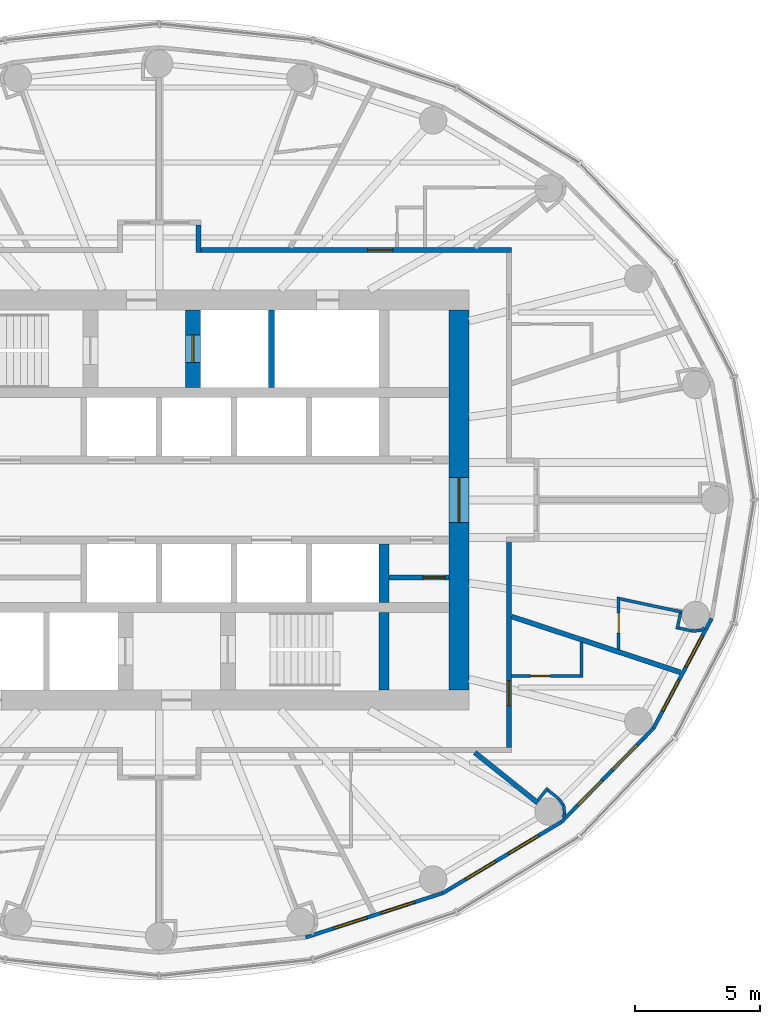
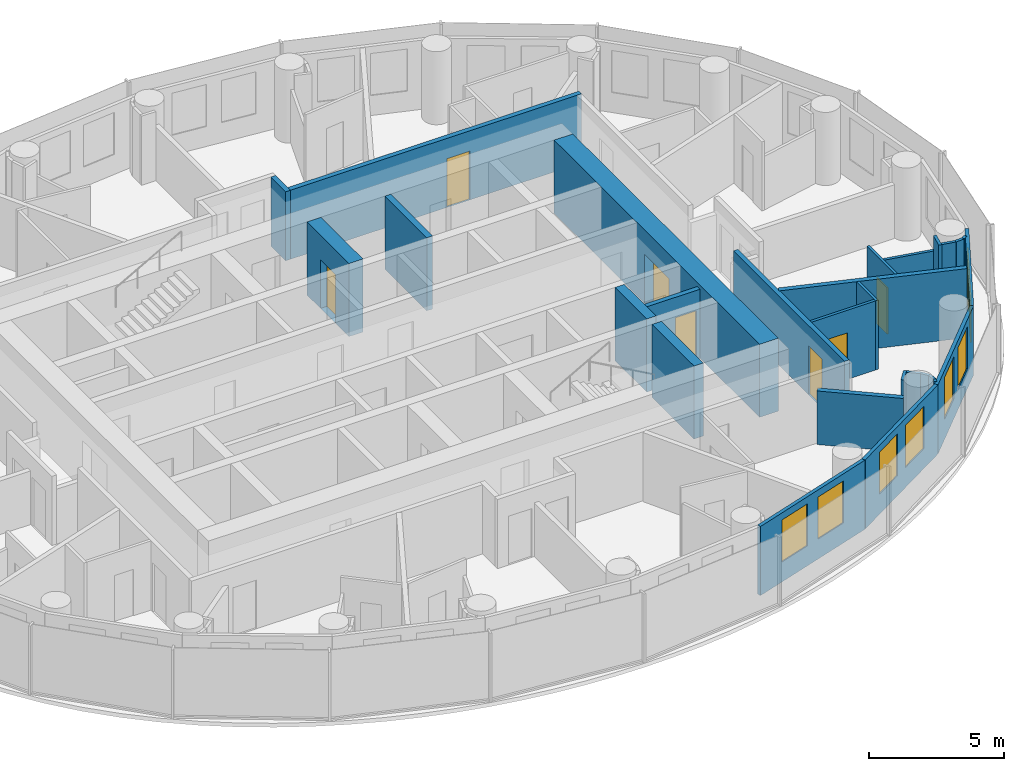
# One storey, part 10 of 16: 28 walls, 8 windows, 7 doors, 15 openings.
"""IFC4 building model written with IfcOpenShell, lengths in metres."""

from ifc_helpers import new_model, si_unit, direction, frame, frame_2d, origin, place, context, subcontext, project, spatial, rectangle, extrude, material, layer, layer_set, type_object, element, fill, save


model = new_model("IFC4")

# Units and contexts
model_context = context("Model", 3, precision=1e-05, world=origin(), true_north=direction((0.0, 1.0)))
body_context = subcontext(model_context, "Body", "Model", "MODEL_VIEW")
ifc_project = project(units=[si_unit("LENGTHUNIT", "METRE"), si_unit("AREAUNIT", "SQUARE_METRE"), si_unit("VOLUMEUNIT", "CUBIC_METRE"), si_unit("PLANEANGLEUNIT", "RADIAN"), si_unit("MASSUNIT", "GRAM", prefix="KILO")], contexts=[model_context])

# Site, building, storey
site_placement = place(None, origin())
site = spatial("IfcSite", under=ifc_project, at=site_placement, CompositionType="ELEMENT")
building_placement = place(site_placement, origin())
building = spatial("IfcBuilding", under=site, at=building_placement, Name="Hankou Lantern Tower", CompositionType="ELEMENT")
storey_placement = place(building_placement, frame((0.0, 0.0, 150.0)))
storey = spatial("IfcBuildingStorey", under=building, at=storey_placement, Name="L39", CompositionType="ELEMENT", Elevation=150.0)

# Wall, opening, door
ifc_material_1 = material(Name="Concrete C60", Category="concrete")
ifc_layer_1 = layer(ifc_material_1, 0.800048828125)
ifc_layer_set_1 = layer_set([ifc_layer_1], Name="Concrete C60")
wall_type_1 = type_object("IfcWallType", Name="CW2 CORE WALL 800", PredefinedType="SHEAR", material=ifc_layer_set_1)
wall_1_placement = place(storey_placement, frame((12.0, -7.60009765625, 0.0), z_axis=(0.0, 0.0, 1.0), x_axis=(0.0, 1.0, 0.0)))
wall_1 = element("IfcWall", 1, at=wall_1_placement, inside=storey, type_object=wall_type_1, Name="Core wall east L39", PredefinedType="SHEAR", context=body_context, shape_type="SweptSolid", body=[
    extrude(rectangle(XDim=15.2001953125, YDim=0.800048828125, at=frame_2d((7.60009765625, 0.0))), origin(), (0.0, 0.0, 1.0), 3.300048828125),
])
opening_1_placement = place(wall_1_placement, frame((6.699951171875, 0.0, 0.0)))
opening_1 = element("IfcOpeningElement", 2, at=opening_1_placement, cuts=wall_1, Name="Opening D6", PredefinedType="OPENING", context=body_context, shape_type="SweptSolid", body=[
    extrude(rectangle(XDim=1.800048828125, YDim=2.199951171875, at=frame_2d((0.89990234375, 1.10009765625))), frame((0.0, 0.409912109375, 0.0), z_axis=(0.0, -1.0, 0.0), x_axis=(1.0, 0.0, 0.0)), (0.0, 0.0, 1.0), 0.820068359375),
])
ifc_material_2 = material(Name="Steel door leaf", Category="steel")
door_type_1 = type_object("IfcDoorType", Name="D6 LIFT LOBBY DOOR 1800X2200", OperationType="DOUBLE_DOOR_DOUBLE_SWING", PredefinedType="DOOR", material=ifc_material_2)
door_1_placement = place(opening_1_placement, origin())
door_1 = element("IfcDoor", 3, at=door_1_placement, inside=storey, type_object=door_type_1, Name="Lift lobby east door", OperationType="DOUBLE_DOOR_DOUBLE_SWING", OverallHeight=2.199951171875, OverallWidth=1.800048828125, PredefinedType="DOOR", context=body_context, shape_type="SweptSolid", body=[
    extrude(rectangle(XDim=1.800048828125, YDim=2.199951171875, at=frame_2d((0.89990234375, 1.10009765625))), frame((0.0, 0.02490234375, 0.0), z_axis=(0.0, -1.0, 0.0), x_axis=(1.0, 0.0, 0.0)), (0.0, 0.0, 1.0), 0.050048828125),
])
fill(opening_1, door_1)

# Walls
ifc_material_3 = material(Name="Concrete C60", Category="concrete")
ifc_layer_2 = layer(ifc_material_3, 0.39990234375)
ifc_layer_set_2 = layer_set([ifc_layer_2], Name="Concrete C60")
wall_type_2 = type_object("IfcWallType", Name="CW4 CORE CROSS WALL 400", PredefinedType="SHEAR", material=ifc_layer_set_2)
wall_2_placement = place(storey_placement, frame((9.0, -4.10009765625, 0.0), z_axis=(0.0, 0.0, 1.0), x_axis=(0.0, 1.0, 0.0)))
element("IfcWall", 4, at=wall_2_placement, inside=storey, type_object=wall_type_2, Name="Core strip wall L39", PredefinedType="SHEAR", context=body_context, shape_type="SweptSolid", body=[
    extrude(rectangle(XDim=2.35009765625, YDim=0.39990234375, at=frame_2d((1.175048828125, 0.0))), origin(), (0.0, 0.0, 1.0), 3.300048828125),
])
wall_3_placement = place(storey_placement, frame((9.0, -7.60009765625, 0.0), z_axis=(0.0, 0.0, 1.0), x_axis=(0.0, 1.0, 0.0)))
element("IfcWall", 5, at=wall_3_placement, inside=storey, type_object=wall_type_2, Name="Core strip wall L39", PredefinedType="SHEAR", context=body_context, shape_type="SweptSolid", body=[
    extrude(rectangle(XDim=3.10009765625, YDim=0.39990234375, at=frame_2d((1.550048828125, 0.0))), origin(), (0.0, 0.0, 1.0), 3.300048828125),
])

# Wall, opening, door
ifc_material_4 = material(Name="Concrete C60", Category="concrete")
ifc_layer_3 = layer(ifc_material_4, 0.60009765625)
ifc_layer_set_3 = layer_set([ifc_layer_3], Name="Concrete C60")
wall_type_3 = type_object("IfcWallType", Name="CW6 STAIR AND SHAFT WALL 600", PredefinedType="SHEAR", material=ifc_layer_set_3)
wall_4_placement = place(storey_placement, frame((1.35009765625, 4.5, 0.0), z_axis=(0.0, 0.0, 1.0), x_axis=(0.0, 1.0, 0.0)))
wall_4 = element("IfcWall", 6, at=wall_4_placement, inside=storey, type_object=wall_type_3, Name="Firefighting lift shaft wall L39", PredefinedType="SHEAR", context=body_context, shape_type="SweptSolid", body=[
    extrude(rectangle(XDim=3.10009765625, YDim=0.60009765625, at=frame_2d((1.550048828125, 0.0))), origin(), (0.0, 0.0, 1.0), 3.300048828125),
])
opening_2_placement = place(wall_4_placement, frame((1.0, 0.0, 0.0)))
opening_2 = element("IfcOpeningElement", 7, at=opening_2_placement, cuts=wall_4, Name="Opening LD2", PredefinedType="OPENING", context=body_context, shape_type="SweptSolid", body=[
    extrude(rectangle(XDim=1.10009765625, YDim=2.199951171875, at=frame_2d((0.550048828125, 1.10009765625))), frame((0.0, 0.31005859375, 0.0), z_axis=(0.0, -1.0, 0.0), x_axis=(1.0, 0.0, 0.0)), (0.0, 0.0, 1.0), 0.6201171875),
])
ifc_material_5 = material(Name="Steel door leaf", Category="steel")
door_type_2 = type_object("IfcDoorType", Name="LD2 FIREFIGHTING LIFT LANDING DOOR 1100X2200", OperationType="DOUBLE_DOOR_SLIDING", PredefinedType="DOOR", material=ifc_material_5)
door_2_placement = place(opening_2_placement, origin())
door_2 = element("IfcDoor", 8, at=door_2_placement, inside=storey, type_object=door_type_2, Name="Firefighting lift FL1 landing door", OperationType="DOUBLE_DOOR_SLIDING", OverallHeight=2.199951171875, OverallWidth=1.10009765625, PredefinedType="DOOR", context=body_context, shape_type="SweptSolid", body=[
    extrude(rectangle(XDim=1.10009765625, YDim=2.199951171875, at=frame_2d((0.550048828125, 1.10009765625))), frame((0.0, 0.02490234375, 0.0), z_axis=(0.0, -1.0, 0.0), x_axis=(1.0, 0.0, 0.0)), (0.0, 0.0, 1.0), 0.050048828125),
])
fill(opening_2, door_2)

# Wall, openings, windows
ifc_material_6 = material(Name="Aluminium spandrel panel on steel studs", Category="steel")
ifc_layer_4 = layer(ifc_material_6, 0.14990234375)
ifc_layer_set_4 = layer_set([ifc_layer_4], Name="Aluminium spandrel panel on steel studs")
wall_type_4 = type_object("IfcWallType", Name="EW1 INNER SKIN WALL 150", PredefinedType="ELEMENTEDWALL", material=ifc_layer_set_4)
wall_5_placement = place(storey_placement, frame((5.8603515625, -17.497314453125, 0.0), z_axis=(0.0, 0.0, 1.0), x_axis=(0.951432482129, 0.307857486429, 0.0)))
wall_5 = element("IfcWall", 9, at=wall_5_placement, inside=storey, type_object=wall_type_4, Name="Inner skin R20-R21 L39", PredefinedType="ELEMENTEDWALL", context=body_context, shape_type="SweptSolid", body=[
    extrude(rectangle(XDim=5.76611328125, YDim=0.14990234375, at=frame_2d((2.883056640625, 0.0))), origin(), (0.0, 0.0, 1.0), 3.1201171875),
])
opening_3_placement = place(wall_5_placement, frame((1.18310546875, 0.0, 0.89990234375)))
opening_3 = element("IfcOpeningElement", 10, at=opening_3_placement, cuts=wall_5, Name="Opening W3", PredefinedType="OPENING", context=body_context, shape_type="SweptSolid", body=[
    extrude(rectangle(XDim=1.39990234375, YDim=1.89990234375, at=frame_2d((0.699951171875, 0.949951171875))), frame((0.0, 0.0849609375, 0.0), z_axis=(0.0, -1.0, 0.0), x_axis=(1.0, 0.0, 0.0)), (0.0, 0.0, 1.0), 0.169921875),
])
opening_4_placement = place(wall_5_placement, frame((3.18310546875, 0.0, 0.89990234375)))
opening_4 = element("IfcOpeningElement", 11, at=opening_4_placement, cuts=wall_5, Name="Opening W3", PredefinedType="OPENING", context=body_context, shape_type="SweptSolid", body=[
    extrude(rectangle(XDim=1.39990234375, YDim=1.89990234375, at=frame_2d((0.699951171875, 0.949951171875))), frame((0.0, 0.0849609375, 0.0), z_axis=(0.0, -1.0, 0.0), x_axis=(1.0, 0.0, 0.0)), (0.0, 0.0, 1.0), 0.169921875),
])
ifc_material_7 = material(Name="Aluminium framed double glazed window", Category="aluminium")
window_type = type_object("IfcWindowType", Name="W3 GUEST ROOM WINDOW 1400X1900", PartitioningType="DOUBLE_PANEL_VERTICAL", PredefinedType="WINDOW", material=ifc_material_7)
window_1_placement = place(opening_3_placement, origin())
window_1 = element("IfcWindow", 12, at=window_1_placement, inside=storey, type_object=window_type, Name="Window R20.1 L39", OverallHeight=1.89990234375, OverallWidth=1.39990234375, PartitioningType="SINGLE_PANEL", PredefinedType="WINDOW", context=body_context, shape_type="SweptSolid", body=[
    extrude(rectangle(XDim=1.39990234375, YDim=1.89990234375, at=frame_2d((0.699951171875, 0.949951171875))), frame((0.0, 0.030029296875, 0.0), z_axis=(0.0, -1.0, 0.0), x_axis=(1.0, 0.0, 0.0)), (0.0, 0.0, 1.0), 0.06005859375),
])
fill(opening_3, window_1)
window_2_placement = place(opening_4_placement, origin())
window_2 = element("IfcWindow", 13, at=window_2_placement, inside=storey, type_object=window_type, Name="Window R20.2 L39", OverallHeight=1.89990234375, OverallWidth=1.39990234375, PartitioningType="SINGLE_PANEL", PredefinedType="WINDOW", context=body_context, shape_type="SweptSolid", body=[
    extrude(rectangle(XDim=1.39990234375, YDim=1.89990234375, at=frame_2d((0.699951171875, 0.949951171875))), frame((0.0, 0.030029296875, 0.0), z_axis=(0.0, -1.0, 0.0), x_axis=(1.0, 0.0, 0.0)), (0.0, 0.0, 1.0), 0.06005859375),
])
fill(opening_4, window_2)

wall_6_placement = place(storey_placement, frame((11.346435546875, -15.72216796875, 0.0), z_axis=(0.0, 0.0, 1.0), x_axis=(0.857695199231, 0.514158482587, 0.0)))
wall_6 = element("IfcWall", 14, at=wall_6_placement, inside=storey, type_object=wall_type_4, Name="Inner skin R21-R22 L39", PredefinedType="ELEMENTEDWALL", context=body_context, shape_type="SweptSolid", body=[
    extrude(rectangle(XDim=5.5361328125, YDim=0.14990234375, at=frame_2d((2.76806640625, 0.0))), origin(), (0.0, 0.0, 1.0), 3.1201171875),
])
opening_5_placement = place(wall_6_placement, frame((1.068115234375, 0.0, 0.89990234375)))
opening_5 = element("IfcOpeningElement", 15, at=opening_5_placement, cuts=wall_6, Name="Opening W3", PredefinedType="OPENING", context=body_context, shape_type="SweptSolid", body=[
    extrude(rectangle(XDim=1.39990234375, YDim=1.89990234375, at=frame_2d((0.699951171875, 0.949951171875))), frame((0.0, 0.0849609375, 0.0), z_axis=(0.0, -1.0, 0.0), x_axis=(1.0, 0.0, 0.0)), (0.0, 0.0, 1.0), 0.169921875),
])
opening_6_placement = place(wall_6_placement, frame((3.068115234375, 0.0, 0.89990234375)))
opening_6 = element("IfcOpeningElement", 16, at=opening_6_placement, cuts=wall_6, Name="Opening W3", PredefinedType="OPENING", context=body_context, shape_type="SweptSolid", body=[
    extrude(rectangle(XDim=1.39990234375, YDim=1.89990234375, at=frame_2d((0.699951171875, 0.949951171875))), frame((0.0, 0.0849609375, 0.0), z_axis=(0.0, -1.0, 0.0), x_axis=(1.0, 0.0, 0.0)), (0.0, 0.0, 1.0), 0.169921875),
])
window_3_placement = place(opening_5_placement, origin())
window_3 = element("IfcWindow", 17, at=window_3_placement, inside=storey, type_object=window_type, Name="Window R21.1 L39", OverallHeight=1.89990234375, OverallWidth=1.39990234375, PartitioningType="SINGLE_PANEL", PredefinedType="WINDOW", context=body_context, shape_type="SweptSolid", body=[
    extrude(rectangle(XDim=1.39990234375, YDim=1.89990234375, at=frame_2d((0.699951171875, 0.949951171875))), frame((0.0, 0.030029296875, 0.0), z_axis=(0.0, -1.0, 0.0), x_axis=(1.0, 0.0, 0.0)), (0.0, 0.0, 1.0), 0.06005859375),
])
fill(opening_5, window_3)
window_4_placement = place(opening_6_placement, origin())
window_4 = element("IfcWindow", 18, at=window_4_placement, inside=storey, type_object=window_type, Name="Window R21.2 L39", OverallHeight=1.89990234375, OverallWidth=1.39990234375, PartitioningType="SINGLE_PANEL", PredefinedType="WINDOW", context=body_context, shape_type="SweptSolid", body=[
    extrude(rectangle(XDim=1.39990234375, YDim=1.89990234375, at=frame_2d((0.699951171875, 0.949951171875))), frame((0.0, 0.030029296875, 0.0), z_axis=(0.0, -1.0, 0.0), x_axis=(1.0, 0.0, 0.0)), (0.0, 0.0, 1.0), 0.06005859375),
])
fill(opening_6, window_4)

wall_7_placement = place(storey_placement, frame((16.0947265625, -12.875732421875, 0.0), z_axis=(0.0, 0.0, 1.0), x_axis=(0.700727467776, 0.71342905457, 0.0)))
wall_7 = element("IfcWall", 19, at=wall_7_placement, inside=storey, type_object=wall_type_4, Name="Inner skin R22-R23 L39", PredefinedType="ELEMENTEDWALL", context=body_context, shape_type="SweptSolid", body=[
    extrude(rectangle(XDim=5.247314453125, YDim=0.14990234375, at=frame_2d((2.62353515625, 0.0))), origin(), (0.0, 0.0, 1.0), 3.1201171875),
])
opening_7_placement = place(wall_7_placement, frame((0.923583984375, 0.0, 0.89990234375)))
opening_7 = element("IfcOpeningElement", 20, at=opening_7_placement, cuts=wall_7, Name="Opening W3", PredefinedType="OPENING", context=body_context, shape_type="SweptSolid", body=[
    extrude(rectangle(XDim=1.39990234375, YDim=1.89990234375, at=frame_2d((0.699951171875, 0.949951171875))), frame((0.0, 0.0849609375, 0.0), z_axis=(0.0, -1.0, 0.0), x_axis=(1.0, 0.0, 0.0)), (0.0, 0.0, 1.0), 0.169921875),
])
opening_8_placement = place(wall_7_placement, frame((2.923583984375, 0.0, 0.89990234375)))
opening_8 = element("IfcOpeningElement", 21, at=opening_8_placement, cuts=wall_7, Name="Opening W3", PredefinedType="OPENING", context=body_context, shape_type="SweptSolid", body=[
    extrude(rectangle(XDim=1.39990234375, YDim=1.89990234375, at=frame_2d((0.699951171875, 0.949951171875))), frame((0.0, 0.0849609375, 0.0), z_axis=(0.0, -1.0, 0.0), x_axis=(1.0, 0.0, 0.0)), (0.0, 0.0, 1.0), 0.169921875),
])
window_5_placement = place(opening_7_placement, origin())
window_5 = element("IfcWindow", 22, at=window_5_placement, inside=storey, type_object=window_type, Name="Window R22.1 L39", OverallHeight=1.89990234375, OverallWidth=1.39990234375, PartitioningType="SINGLE_PANEL", PredefinedType="WINDOW", context=body_context, shape_type="SweptSolid", body=[
    extrude(rectangle(XDim=1.39990234375, YDim=1.89990234375, at=frame_2d((0.699951171875, 0.949951171875))), frame((0.0, 0.030029296875, 0.0), z_axis=(0.0, -1.0, 0.0), x_axis=(1.0, 0.0, 0.0)), (0.0, 0.0, 1.0), 0.06005859375),
])
fill(opening_7, window_5)
window_6_placement = place(opening_8_placement, origin())
window_6 = element("IfcWindow", 23, at=window_6_placement, inside=storey, type_object=window_type, Name="Window R22.2 L39", OverallHeight=1.89990234375, OverallWidth=1.39990234375, PartitioningType="SINGLE_PANEL", PredefinedType="WINDOW", context=body_context, shape_type="SweptSolid", body=[
    extrude(rectangle(XDim=1.39990234375, YDim=1.89990234375, at=frame_2d((0.699951171875, 0.949951171875))), frame((0.0, 0.030029296875, 0.0), z_axis=(0.0, -1.0, 0.0), x_axis=(1.0, 0.0, 0.0)), (0.0, 0.0, 1.0), 0.06005859375),
])
fill(opening_8, window_6)

wall_8_placement = place(storey_placement, frame((19.771728515625, -9.132080078125, 0.0), z_axis=(0.0, 0.0, 1.0), x_axis=(0.468428906714, 0.883501193748, 0.0)))
wall_8 = element("IfcWall", 24, at=wall_8_placement, inside=storey, type_object=wall_type_4, Name="Inner skin R23-R24 L39", PredefinedType="ELEMENTEDWALL", context=body_context, shape_type="SweptSolid", body=[
    extrude(rectangle(XDim=4.9736328125, YDim=0.14990234375, at=frame_2d((2.48681640625, 0.0))), origin(), (0.0, 0.0, 1.0), 3.1201171875),
])
opening_9_placement = place(wall_8_placement, frame((0.786865234375, 0.0, 0.89990234375)))
opening_9 = element("IfcOpeningElement", 25, at=opening_9_placement, cuts=wall_8, Name="Opening W3", PredefinedType="OPENING", context=body_context, shape_type="SweptSolid", body=[
    extrude(rectangle(XDim=1.39990234375, YDim=1.89990234375, at=frame_2d((0.699951171875, 0.949951171875))), frame((0.0, 0.0849609375, 0.0), z_axis=(0.0, -1.0, 0.0), x_axis=(1.0, 0.0, 0.0)), (0.0, 0.0, 1.0), 0.169921875),
])
opening_10_placement = place(wall_8_placement, frame((2.786865234375, 0.0, 0.89990234375)))
opening_10 = element("IfcOpeningElement", 26, at=opening_10_placement, cuts=wall_8, Name="Opening W3", PredefinedType="OPENING", context=body_context, shape_type="SweptSolid", body=[
    extrude(rectangle(XDim=1.39990234375, YDim=1.89990234375, at=frame_2d((0.699951171875, 0.949951171875))), frame((0.0, 0.0849609375, 0.0), z_axis=(0.0, -1.0, 0.0), x_axis=(1.0, 0.0, 0.0)), (0.0, 0.0, 1.0), 0.169921875),
])
window_7_placement = place(opening_9_placement, origin())
window_7 = element("IfcWindow", 27, at=window_7_placement, inside=storey, type_object=window_type, Name="Window R23.1 L39", OverallHeight=1.89990234375, OverallWidth=1.39990234375, PartitioningType="SINGLE_PANEL", PredefinedType="WINDOW", context=body_context, shape_type="SweptSolid", body=[
    extrude(rectangle(XDim=1.39990234375, YDim=1.89990234375, at=frame_2d((0.699951171875, 0.949951171875))), frame((0.0, 0.030029296875, 0.0), z_axis=(0.0, -1.0, 0.0), x_axis=(1.0, 0.0, 0.0)), (0.0, 0.0, 1.0), 0.06005859375),
])
fill(opening_9, window_7)
window_8_placement = place(opening_10_placement, origin())
window_8 = element("IfcWindow", 28, at=window_8_placement, inside=storey, type_object=window_type, Name="Window R23.2 L39", OverallHeight=1.89990234375, OverallWidth=1.39990234375, PartitioningType="SINGLE_PANEL", PredefinedType="WINDOW", context=body_context, shape_type="SweptSolid", body=[
    extrude(rectangle(XDim=1.39990234375, YDim=1.89990234375, at=frame_2d((0.699951171875, 0.949951171875))), frame((0.0, 0.030029296875, 0.0), z_axis=(0.0, -1.0, 0.0), x_axis=(1.0, 0.0, 0.0)), (0.0, 0.0, 1.0), 0.06005859375),
])
fill(opening_10, window_8)

# Walls
ifc_material_8 = material(Name="Masonry lightweight concrete block", Category="masonry")
ifc_layer_5 = layer(ifc_material_8, 0.199951171875)
ifc_layer_set_5 = layer_set([ifc_layer_5], Name="Masonry lightweight concrete block")
wall_type_5 = type_object("IfcWallType", Name="IW1 GUEST ROOM PARTY WALL 200", PredefinedType="PARTITIONING", material=ifc_layer_set_5)
wall_9_placement = place(storey_placement, frame((12.625, -10.10009765625, 0.0), z_axis=(0.0, 0.0, 1.0), x_axis=(0.780876185034, -0.624685827954, 0.0)))
element("IfcWall", 29, at=wall_9_placement, inside=storey, type_object=wall_type_5, Name="Party wall R22", PredefinedType="PARTITIONING", context=body_context, shape_type="SweptSolid", body=[
    extrude(rectangle(XDim=3.229248046875, YDim=0.199951171875, at=frame_2d((1.61474609375, 0.0))), origin(), (0.0, 0.0, 1.0), 2.419921875),
])
wall_10_placement = place(storey_placement, frame((14.10009765625, -4.661376953125, 0.0), z_axis=(0.0, 0.0, 1.0), x_axis=(0.949453216399, -0.313908569285, 0.0)))
element("IfcWall", 30, at=wall_10_placement, inside=storey, type_object=wall_type_5, Name="Party wall R23-R24", PredefinedType="PARTITIONING", context=body_context, shape_type="SweptSolid", body=[
    extrude(rectangle(XDim=7.108642578125, YDim=0.199951171875, at=frame_2d((3.55419921875, 0.0))), origin(), (0.0, 0.0, 1.0), 3.1201171875),
])
ifc_material_9 = material(Name="Masonry lightweight concrete block", Category="masonry")
ifc_layer_6 = layer(ifc_material_9, 0.199951171875)
ifc_layer_set_6 = layer_set([ifc_layer_6], Name="Masonry lightweight concrete block")
wall_type_6 = type_object("IfcWallType", Name="IW2 CORRIDOR WALL 200", PredefinedType="PARTITIONING", material=ifc_layer_set_6)
wall_11_placement = place(storey_placement, frame((1.570068359375, 9.89990234375, 0.0), z_axis=(0.0, 0.0, 1.0), x_axis=(0.0, 1.0, 0.0)))
element("IfcWall", 31, at=wall_11_placement, inside=storey, type_object=wall_type_6, Name="Corridor alcove wall 3903-3904 right", PredefinedType="PARTITIONING", context=body_context, shape_type="SweptSolid", body=[
    extrude(rectangle(XDim=1.10009765625, YDim=0.199951171875, at=frame_2d((0.550048828125, 0.0))), origin(), (0.0, 0.0, 1.0), 3.1201171875),
])

# Wall, opening, door
wall_12_placement = place(storey_placement, frame((1.669921875, 10.0, 0.0), z_axis=(0.0, 0.0, 1.0), x_axis=(1.0, 0.0, 0.0)))
wall_12 = element("IfcWall", 32, at=wall_12_placement, inside=storey, type_object=wall_type_6, Name="Corridor wall north", PredefinedType="PARTITIONING", context=body_context, shape_type="SweptSolid", body=[
    extrude(rectangle(XDim=12.43017578125, YDim=0.199951171875, at=frame_2d((6.215087890625, 0.0))), origin(), (0.0, 0.0, 1.0), 3.1201171875),
])
opening_11_placement = place(wall_12_placement, frame((6.675048828125, 0.0, 0.0)))
opening_11 = element("IfcOpeningElement", 33, at=opening_11_placement, cuts=wall_12, Name="Opening D1", PredefinedType="OPENING", context=body_context, shape_type="SweptSolid", body=[
    extrude(rectangle(XDim=1.0, YDim=2.199951171875, at=frame_2d((0.5, 1.10009765625))), frame((0.0, 0.10986328125, 0.0), z_axis=(0.0, -1.0, 0.0), x_axis=(1.0, 0.0, 0.0)), (0.0, 0.0, 1.0), 0.219970703125),
])
ifc_material_10 = material(Name="Steel door leaf", Category="steel")
door_type_3 = type_object("IfcDoorType", Name="D1 GUEST ROOM DOOR 1000X2200", OperationType="SINGLE_SWING_LEFT", PredefinedType="DOOR", material=ifc_material_10)
door_3_placement = place(opening_11_placement, origin())
door_3 = element("IfcDoor", 34, at=door_3_placement, inside=storey, type_object=door_type_3, Name="Guest room door 3902", OperationType="SINGLE_SWING_RIGHT", OverallHeight=2.199951171875, OverallWidth=1.0, PredefinedType="DOOR", context=body_context, shape_type="SweptSolid", body=[
    extrude(rectangle(XDim=1.0, YDim=2.199951171875, at=frame_2d((0.5, 1.10009765625))), frame((0.0, 0.02490234375, 0.0), z_axis=(0.0, -1.0, 0.0), x_axis=(1.0, 0.0, 0.0)), (0.0, 0.0, 1.0), 0.050048828125),
])
fill(opening_11, door_3)

wall_13_placement = place(storey_placement, frame((14.0, -9.89990234375, 0.0), z_axis=(0.0, 0.0, 1.0), x_axis=(0.0, 1.0, 0.0)))
wall_13 = element("IfcWall", 35, at=wall_13_placement, inside=storey, type_object=wall_type_6, Name="Corridor wall east", PredefinedType="PARTITIONING", context=body_context, shape_type="SweptSolid", body=[
    extrude(rectangle(XDim=8.22998046875, YDim=0.199951171875, at=frame_2d((4.114990234375, 0.0))), origin(), (0.0, 0.0, 1.0), 3.1201171875),
])
opening_12_placement = place(wall_13_placement, frame((1.678466796875, 0.0, 0.0)))
opening_12 = element("IfcOpeningElement", 36, at=opening_12_placement, cuts=wall_13, Name="Opening D1", PredefinedType="OPENING", context=body_context, shape_type="SweptSolid", body=[
    extrude(rectangle(XDim=1.0, YDim=2.199951171875, at=frame_2d((0.5, 1.10009765625))), frame((0.0, 0.10986328125, 0.0), z_axis=(0.0, -1.0, 0.0), x_axis=(1.0, 0.0, 0.0)), (0.0, 0.0, 1.0), 0.219970703125),
])
door_4_placement = place(opening_12_placement, origin())
door_4 = element("IfcDoor", 37, at=door_4_placement, inside=storey, type_object=door_type_3, Name="Guest room door 3914", OperationType="SINGLE_SWING_LEFT", OverallHeight=2.199951171875, OverallWidth=1.0, PredefinedType="DOOR", context=body_context, shape_type="SweptSolid", body=[
    extrude(rectangle(XDim=1.0, YDim=2.199951171875, at=frame_2d((0.5, 1.10009765625))), frame((0.0, 0.02490234375, 0.0), z_axis=(0.0, -1.0, 0.0), x_axis=(1.0, 0.0, 0.0)), (0.0, 0.0, 1.0), 0.050048828125),
])
fill(opening_12, door_4)

# Wall
ifc_material_11 = material(Name="Masonry lightweight concrete block", Category="masonry")
ifc_layer_7 = layer(ifc_material_11, 0.1201171875)
ifc_layer_set_7 = layer_set([ifc_layer_7], Name="Masonry lightweight concrete block")
wall_type_7 = type_object("IfcWallType", Name="IW3 BATHROOM WALL 120", PredefinedType="PARTITIONING", material=ifc_layer_set_7)
wall_14_placement = place(storey_placement, frame((16.89990234375, -5.687255859375, 0.0), z_axis=(0.0, 0.0, 1.0), x_axis=(0.0, -1.0, 0.0)))
element("IfcWall", 38, at=wall_14_placement, inside=storey, type_object=wall_type_7, Name="Box wall 3914 1", PredefinedType="PARTITIONING", context=body_context, shape_type="SweptSolid", body=[
    extrude(rectangle(XDim=1.414306640625, YDim=0.1201171875, at=frame_2d((0.70703125, 0.0))), origin(), (0.0, 0.0, 1.0), 3.1201171875),
])

# Wall, opening, door
wall_15_placement = place(storey_placement, frame((14.10009765625, -7.04150390625, 0.0), z_axis=(0.0, 0.0, 1.0), x_axis=(1.0, 0.0, 0.0)))
wall_15 = element("IfcWall", 39, at=wall_15_placement, inside=storey, type_object=wall_type_7, Name="Box wall 3914 1", PredefinedType="PARTITIONING", context=body_context, shape_type="SweptSolid", body=[
    extrude(rectangle(XDim=2.739990234375, YDim=0.1201171875, at=frame_2d((1.3701171875, 0.0))), origin(), (0.0, 0.0, 1.0), 3.1201171875),
])
opening_13_placement = place(wall_15_placement, frame((0.75, 0.0, 0.0)))
opening_13 = element("IfcOpeningElement", 40, at=opening_13_placement, cuts=wall_15, Name="Opening D3", PredefinedType="OPENING", context=body_context, shape_type="SweptSolid", body=[
    extrude(rectangle(XDim=0.800048828125, YDim=2.10009765625, at=frame_2d((0.39990234375, 1.050048828125))), frame((0.0, 0.070068359375, 0.0), z_axis=(0.0, -1.0, 0.0), x_axis=(1.0, 0.0, 0.0)), (0.0, 0.0, 1.0), 0.14013671875),
])
ifc_material_12 = material(Name="Timber door leaf", Category="wood")
door_type_4 = type_object("IfcDoorType", Name="D3 BATHROOM DOOR 800X2100", OperationType="SINGLE_SWING_LEFT", PredefinedType="DOOR", material=ifc_material_12)
door_5_placement = place(opening_13_placement, origin())
door_5 = element("IfcDoor", 41, at=door_5_placement, inside=storey, type_object=door_type_4, Name="En-suite bathroom 3914 door", OperationType="SINGLE_SWING_LEFT", OverallHeight=2.10009765625, OverallWidth=0.800048828125, PredefinedType="DOOR", context=body_context, shape_type="SweptSolid", body=[
    extrude(rectangle(XDim=0.800048828125, YDim=2.10009765625, at=frame_2d((0.39990234375, 1.050048828125))), frame((0.0, 0.02490234375, 0.0), z_axis=(0.0, -1.0, 0.0), x_axis=(1.0, 0.0, 0.0)), (0.0, 0.0, 1.0), 0.050048828125),
])
fill(opening_13, door_5)

wall_16_placement = place(storey_placement, frame((18.380859375, -5.971435546875, 0.0), z_axis=(0.0, 0.0, 1.0), x_axis=(0.000934142516, 0.999999563689, 0.0)))
wall_16 = element("IfcWall", 42, at=wall_16_placement, inside=storey, type_object=wall_type_7, Name="Box wall 3915 1", PredefinedType="PARTITIONING", context=body_context, shape_type="SweptSolid", body=[
    extrude(rectangle(XDim=2.0908203125, YDim=0.1201171875, at=frame_2d((1.04541015625, 0.0))), origin(), (0.0, 0.0, 1.0), 3.1201171875),
])
opening_14_placement = place(wall_16_placement, frame((0.6455078125, 0.0, 0.0)))
opening_14 = element("IfcOpeningElement", 43, at=opening_14_placement, cuts=wall_16, Name="Opening D3", PredefinedType="OPENING", context=body_context, shape_type="SweptSolid", body=[
    extrude(rectangle(XDim=0.800048828125, YDim=2.10009765625, at=frame_2d((0.39990234375, 1.050048828125))), frame((0.0, 0.070068359375, 0.0), z_axis=(0.0, -1.0, 0.0), x_axis=(1.0, 0.0, 0.0)), (0.0, 0.0, 1.0), 0.14013671875),
])
door_6_placement = place(opening_14_placement, origin())
door_6 = element("IfcDoor", 44, at=door_6_placement, inside=storey, type_object=door_type_4, Name="En-suite bathroom 3915 door", OperationType="SINGLE_SWING_LEFT", OverallHeight=2.10009765625, OverallWidth=0.800048828125, PredefinedType="DOOR", context=body_context, shape_type="SweptSolid", body=[
    extrude(rectangle(XDim=0.800048828125, YDim=2.10009765625, at=frame_2d((0.39990234375, 1.050048828125))), frame((0.0, 0.02490234375, 0.0), z_axis=(0.0, -1.0, 0.0), x_axis=(1.0, 0.0, 0.0)), (0.0, 0.0, 1.0), 0.050048828125),
])
fill(opening_14, door_6)

# Walls
wall_17_placement = place(storey_placement, frame((18.44140625, -3.953125, 0.0), z_axis=(0.0, 0.0, 1.0), x_axis=(0.977801007461, -0.209535652833, 0.0)))
element("IfcWall", 45, at=wall_17_placement, inside=storey, type_object=wall_type_7, Name="Box wall 3915 2", PredefinedType="PARTITIONING", context=body_context, shape_type="SweptSolid", body=[
    extrude(rectangle(XDim=2.5400390625, YDim=0.1201171875, at=frame_2d((1.27001953125, 0.0))), origin(), (0.0, 0.0, 1.0), 2.419921875),
])
wall_18_placement = place(storey_placement, frame((20.853759765625, -4.531494140625, 0.0), z_axis=(0.0, 0.0, 1.0), x_axis=(-0.209631346779, -0.977780496046, 0.0)))
element("IfcWall", 46, at=wall_18_placement, inside=storey, type_object=wall_type_7, Name="Column casing 3915 return", PredefinedType="PARTITIONING", context=body_context, shape_type="SweptSolid", body=[
    extrude(rectangle(XDim=0.652099609375, YDim=0.1201171875, at=frame_2d((0.326171875, 0.0))), origin(), (0.0, 0.0, 1.0), 3.1201171875),
])
wall_19_placement = place(storey_placement, frame((20.788330078125, -5.123291015625, 0.0), z_axis=(0.0, 0.0, 1.0), x_axis=(0.977789415726, -0.209589738521, 0.0)))
element("IfcWall", 47, at=wall_19_placement, inside=storey, type_object=wall_type_7, Name="Column casing 3915", PredefinedType="PARTITIONING", context=body_context, shape_type="SweptSolid", body=[
    extrude(rectangle(XDim=0.5498046875, YDim=0.1201171875, at=frame_2d((0.27490234375, 0.0))), origin(), (0.0, 0.0, 1.0), 3.1201171875),
])
wall_20_placement = place(storey_placement, frame((21.325927734375, -5.238525390625, 0.0), z_axis=(0.0, 0.0, 1.0), x_axis=(0.998719689441, 0.050586380797, 0.0)))
element("IfcWall", 48, at=wall_20_placement, inside=storey, type_object=wall_type_7, Name="Column casing 3915", PredefinedType="PARTITIONING", context=body_context, shape_type="SweptSolid", body=[
    extrude(rectangle(XDim=0.337890625, YDim=0.1201171875, at=frame_2d((0.1689453125, 0.0))), origin(), (0.0, 0.0, 1.0), 3.1201171875),
])
wall_21_placement = place(storey_placement, frame((21.663330078125, -5.221435546875, 0.0), z_axis=(0.0, 0.0, 1.0), x_axis=(0.839279022252, 0.543700949795, 0.0)))
element("IfcWall", 49, at=wall_21_placement, inside=storey, type_object=wall_type_7, Name="Column casing 3915", PredefinedType="PARTITIONING", context=body_context, shape_type="SweptSolid", body=[
    extrude(rectangle(XDim=0.18017578125, YDim=0.1201171875, at=frame_2d((0.090087890625, 0.0))), origin(), (0.0, 0.0, 1.0), 3.1201171875),
])
ifc_material_13 = material(Name="Masonry lightweight concrete block", Category="masonry")
ifc_layer_8 = layer(ifc_material_13, 0.1201171875)
ifc_layer_set_8 = layer_set([ifc_layer_8], Name="Masonry lightweight concrete block")
wall_type_8 = type_object("IfcWallType", Name="IW4 PARTITION 120", PredefinedType="PARTITIONING", material=ifc_layer_set_8)
wall_22_placement = place(storey_placement, frame((15.162353515625, -12.001708984375, 0.0), z_axis=(0.0, 0.0, 1.0), x_axis=(0.624597762427, 0.780946627607, 0.0)))
element("IfcWall", 50, at=wall_22_placement, inside=storey, type_object=wall_type_8, Name="Column casing R22 return", PredefinedType="PARTITIONING", context=body_context, shape_type="SweptSolid", body=[
    extrude(rectangle(XDim=0.612060546875, YDim=0.1201171875, at=frame_2d((0.30615234375, 0.0))), origin(), (0.0, 0.0, 1.0), 3.1201171875),
])
wall_23_placement = place(storey_placement, frame((15.55419921875, -11.60791015625, 0.0), z_axis=(0.0, 0.0, 1.0), x_axis=(0.780695577787, -0.624911525597, 0.0)))
element("IfcWall", 51, at=wall_23_placement, inside=storey, type_object=wall_type_8, Name="Column casing R22", PredefinedType="PARTITIONING", context=body_context, shape_type="SweptSolid", body=[
    extrude(rectangle(XDim=0.550048828125, YDim=0.1201171875, at=frame_2d((0.27490234375, 0.0))), origin(), (0.0, 0.0, 1.0), 3.1201171875),
])
wall_24_placement = place(storey_placement, frame((15.983642578125, -11.95166015625, 0.0), z_axis=(0.0, 0.0, 1.0), x_axis=(0.592335221171, -0.805691619517, 0.0)))
element("IfcWall", 52, at=wall_24_placement, inside=storey, type_object=wall_type_8, Name="Column casing R22", PredefinedType="PARTITIONING", context=body_context, shape_type="SweptSolid", body=[
    extrude(rectangle(XDim=0.337646484375, YDim=0.1201171875, at=frame_2d((0.1689453125, 0.0))), origin(), (0.0, 0.0, 1.0), 3.1201171875),
])
wall_25_placement = place(storey_placement, frame((16.18359375, -12.2236328125, 0.0), z_axis=(0.0, 0.0, 1.0), x_axis=(0.110669692975, -0.993857242795, 0.0)))
element("IfcWall", 53, at=wall_25_placement, inside=storey, type_object=wall_type_8, Name="Column casing R22", PredefinedType="PARTITIONING", context=body_context, shape_type="SweptSolid", body=[
    extrude(rectangle(XDim=0.33740234375, YDim=0.1201171875, at=frame_2d((0.168701171875, 0.0))), origin(), (0.0, 0.0, 1.0), 3.1201171875),
])
wall_26_placement = place(storey_placement, frame((16.220947265625, -12.55908203125, 0.0), z_axis=(0.0, 0.0, 1.0), x_axis=(-0.401064416249, -0.916049853457, 0.0)))
element("IfcWall", 54, at=wall_26_placement, inside=storey, type_object=wall_type_8, Name="Column casing R22", PredefinedType="PARTITIONING", context=body_context, shape_type="SweptSolid", body=[
    extrude(rectangle(XDim=0.156494140625, YDim=0.1201171875, at=frame_2d((0.078125, 0.0))), origin(), (0.0, 0.0, 1.0), 3.1201171875),
])

# Wall, opening, door
ifc_material_14 = material(Name="Masonry lightweight concrete block", Category="masonry")
ifc_layer_9 = layer(ifc_material_14, 0.199951171875)
ifc_layer_set_9 = layer_set([ifc_layer_9], Name="Masonry lightweight concrete block")
wall_type_9 = type_object("IfcWallType", Name="IW8 PARTITION 200", PredefinedType="PARTITIONING", material=ifc_layer_set_9)
wall_27_placement = place(storey_placement, frame((9.199951171875, -3.10009765625, 0.0), z_axis=(0.0, 0.0, 1.0), x_axis=(1.0, 0.0, 0.0)))
wall_27 = element("IfcWall", 55, at=wall_27_placement, inside=storey, type_object=wall_type_9, Name="Partition cleaner's store", PredefinedType="PARTITIONING", context=body_context, shape_type="SweptSolid", body=[
    extrude(rectangle(XDim=2.400146484375, YDim=0.199951171875, at=frame_2d((1.2001953125, 0.0))), origin(), (0.0, 0.0, 1.0), 3.1201171875),
])
opening_15_placement = place(wall_27_placement, frame((1.35009765625, 0.0, 0.0)))
opening_15 = element("IfcOpeningElement", 56, at=opening_15_placement, cuts=wall_27, Name="Opening D12", PredefinedType="OPENING", context=body_context, shape_type="SweptSolid", body=[
    extrude(rectangle(XDim=0.89990234375, YDim=2.199951171875, at=frame_2d((0.449951171875, 1.10009765625))), frame((0.0, 0.10986328125, 0.0), z_axis=(0.0, -1.0, 0.0), x_axis=(1.0, 0.0, 0.0)), (0.0, 0.0, 1.0), 0.219970703125),
])
ifc_material_15 = material(Name="Steel door leaf", Category="steel")
door_type_5 = type_object("IfcDoorType", Name="D12 STORE DOOR 900X2200", OperationType="SINGLE_SWING_LEFT", PredefinedType="DOOR", material=ifc_material_15)
door_7_placement = place(opening_15_placement, origin())
door_7 = element("IfcDoor", 57, at=door_7_placement, inside=storey, type_object=door_type_5, Name="Cleaning materials cupboard door", OperationType="SINGLE_SWING_RIGHT", OverallHeight=2.199951171875, OverallWidth=0.89990234375, PredefinedType="DOOR", context=body_context, shape_type="SweptSolid", body=[
    extrude(rectangle(XDim=0.89990234375, YDim=2.199951171875, at=frame_2d((0.449951171875, 1.10009765625))), frame((0.0, 0.02490234375, 0.0), z_axis=(0.0, -1.0, 0.0), x_axis=(1.0, 0.0, 0.0)), (0.0, 0.0, 1.0), 0.050048828125),
])
fill(opening_15, door_7)

# Wall
ifc_material_16 = material(Name="Masonry autoclaved aerated concrete block", Category="masonry")
ifc_layer_10 = layer(ifc_material_16, 0.25)
ifc_layer_set_10 = layer_set([ifc_layer_10], Name="Masonry autoclaved aerated concrete block")
wall_type_10 = type_object("IfcWallType", Name="SW1 SHAFT BLOCK WALL 250", PredefinedType="PARTITIONING", material=ifc_layer_set_10)
wall_28_placement = place(storey_placement, frame((4.5, 4.5, 0.0), z_axis=(0.0, 0.0, 1.0), x_axis=(0.0, 1.0, 0.0)))
element("IfcWall", 58, at=wall_28_placement, inside=storey, type_object=wall_type_10, Name="Riser wall L39", PredefinedType="PARTITIONING", context=body_context, shape_type="SweptSolid", body=[
    extrude(rectangle(XDim=3.10009765625, YDim=0.25, at=frame_2d((1.550048828125, 0.0))), origin(), (0.0, 0.0, 1.0), 3.300048828125),
])

save(model, "model.ifc")
